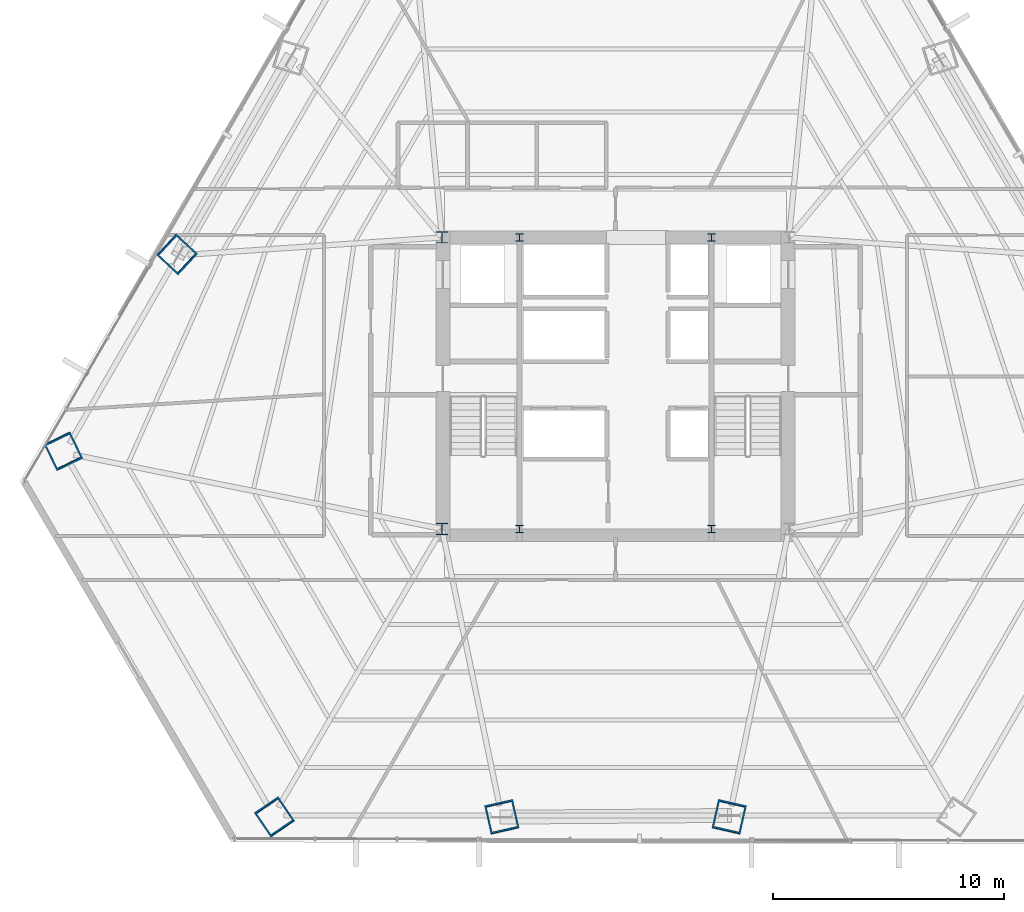
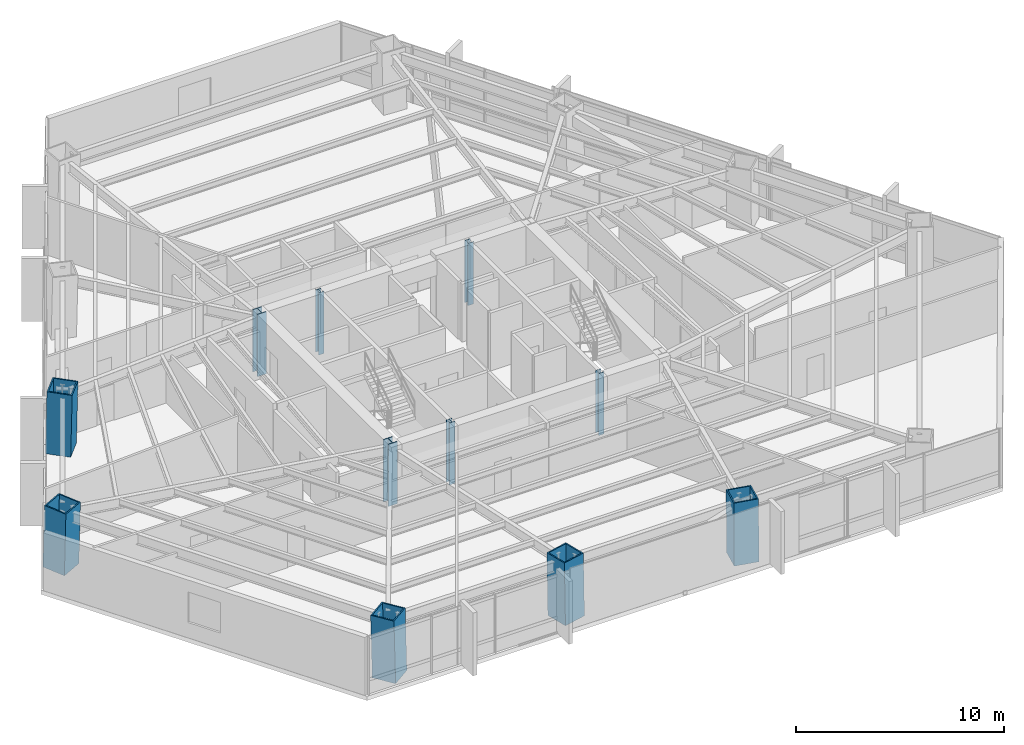
# One storey, part 1 of 33: 11 columns.
"""IFC4 building model written with IfcOpenShell, lengths in metres."""

from ifc_helpers import new_model, si_unit, direction, frame, origin, origin_2d, place, context, subcontext, project, spatial, hollow_rectangle, i_section, extrude, source, transform, mapped, material, material_profile, profile_set, type_object, type_shapes, element, save


model = new_model("IFC4")

# Units and contexts
model_context = context("Model", 3, precision=1e-05, world=origin(), true_north=direction((0.0, 1.0)))
body_context = subcontext(model_context, "Body", "Model", "MODEL_VIEW")
ifc_project = project(units=[si_unit("LENGTHUNIT", "METRE"), si_unit("AREAUNIT", "SQUARE_METRE"), si_unit("VOLUMEUNIT", "CUBIC_METRE"), si_unit("PLANEANGLEUNIT", "RADIAN"), si_unit("MASSUNIT", "GRAM", prefix="KILO")], contexts=[model_context])

# Site, building, storey
site_placement = place(None, origin())
site = spatial("IfcSite", under=ifc_project, at=site_placement, CompositionType="ELEMENT")
building_placement = place(site_placement, origin())
building = spatial("IfcBuilding", under=site, at=building_placement, Name="Caelisora Broadcast Tower", CompositionType="ELEMENT")
storey_placement = place(building_placement, frame((0.0, 0.0, 34.89990234375)))
storey = spatial("IfcBuildingStorey", under=building, at=storey_placement, Name="L08", CompositionType="ELEMENT", Elevation=34.89990234375)

# Columns
ifc_material_1 = material(Name="Steel Grade 350 L15 (AS/NZS 3678)", Category="steel")
ifc_material_profile_1 = material_profile(ifc_material_1, hollow_rectangle(XDim=1.25, YDim=1.25, WallThickness=0.070068359375, at=origin_2d()), Name="Steel Grade 350 L15 (AS/NZS 3678)")
ifc_profile_set_1 = profile_set([ifc_material_profile_1], Name="Steel Grade 350 L15 (AS/NZS 3678)")
column_type_1 = type_object("IfcColumnType", Name="MC02", PredefinedType="COLUMN", material=ifc_profile_set_1)
shared_shape_1 = source(origin(), body_context, "Body", "SweptSolid", [
    extrude(hollow_rectangle(XDim=1.25, YDim=1.25, WallThickness=0.070068359375, at=origin_2d()), origin(), (0.0, 0.0, 1.0), 3.65087890625),
])
for number, where, z_axis, x_axis, name in (
    (1, (19.04248046875, 29.275390625, 0.0), (0.014845459728, -0.013775516685, 0.9997949027), (0.68019775991, 0.733028653883, 0.0), "L08 column MC02"),
    (2, (33.08984375, 4.944580078125, 0.0), (-0.004480382638, 0.019793929266, 0.999794042058), (-0.975326687046, -0.220766513622, 0.0), "L08 column MC02"),
    (3, (42.91015625, 4.944580078125, 0.0), (0.004480382638, 0.019793929266, 0.999794042058), (-0.975326687046, 0.220766513622, 0.0), "L08 column MC02"),
):
    element("IfcColumn", number, at=place(storey_placement, frame(where, z_axis=z_axis, x_axis=x_axis)), inside=storey, type_object=column_type_1, Name=name, PredefinedType="COLUMN", context=body_context, shape_type="MappedRepresentation", body=[
        mapped(shared_shape_1, transform((0.0, 0.0, 0.0), scale=1.0)),
    ])
ifc_material_2 = material(Name="Steel Grade 350 (AS/NZS 3679.2)", Category="steel")
ifc_material_profile_2 = material_profile(ifc_material_2, i_section(OverallWidth=0.5, OverallDepth=0.5, WebThickness=0.028076171875, FlangeThickness=0.0400390625, at=origin_2d()), Name="Steel Grade 350 (AS/NZS 3679.2)")
ifc_profile_set_2 = profile_set([ifc_material_profile_2], Name="Steel Grade 350 (AS/NZS 3679.2)")
column_type_2 = type_object("IfcColumnType", Name="CC01", PredefinedType="COLUMN", material=ifc_profile_set_2)
shared_shape_2 = source(origin(), body_context, "Body", "SweptSolid", [
    extrude(i_section(OverallWidth=0.5, OverallDepth=0.5, WebThickness=0.028076171875, FlangeThickness=0.0400390625, at=origin_2d()), origin(), (0.0, 0.0, 1.0), 3.650146484375),
])
type_shapes(column_type_2, [shared_shape_2])
for number, where, z_axis, x_axis, name in (
    (4, (30.5, 17.39990234375, 0.0), (0.0, 0.0, 1.0), (1.0, 0.0, 0.0), "L08 column CC01"),
    (5, (30.5, 30.0, 0.0), (0.0, 0.0, 1.0), (1.0, 0.0, 0.0), "L08 column CC01"),
):
    element("IfcColumn", number, at=place(storey_placement, frame(where, z_axis=z_axis, x_axis=x_axis)), inside=storey, type_object=column_type_2, Name=name, PredefinedType="COLUMN", context=body_context, shape_type="MappedRepresentation", body=[
        mapped(shared_shape_2, transform((0.0, 0.0, 0.0), scale=1.0)),
    ])
ifc_material_3 = material(Name="Steel Grade 350 (AS/NZS 3679.1)", Category="steel")
ifc_material_profile_3 = material_profile(ifc_material_3, i_section(OverallWidth=0.306884765625, OverallDepth=0.314697265625, WebThickness=0.011962890625, FlangeThickness=0.018798828125, at=origin_2d()), Name="Steel Grade 350 (AS/NZS 3679.1)")
ifc_profile_set_3 = profile_set([ifc_material_profile_3], Name="Steel Grade 350 (AS/NZS 3679.1)")
column_type_3 = type_object("IfcColumnType", Name="CC04", PredefinedType="COLUMN", material=ifc_profile_set_3)
shared_shape_3 = source(origin(), body_context, "Body", "SweptSolid", [
    extrude(i_section(OverallWidth=0.306884765625, OverallDepth=0.314697265625, WebThickness=0.011962890625, FlangeThickness=0.018798828125, at=origin_2d()), origin(), (0.0, 0.0, 1.0), 3.650146484375),
])
type_shapes(column_type_3, [shared_shape_3])
for number, where, z_axis, x_axis, name in (
    (6, (33.85009765625, 17.39990234375, 0.0), (0.0, 0.0, 1.0), (1.0, 0.0, 0.0), "L08 column CC04"),
    (7, (42.14990234375, 17.39990234375, 0.0), (0.0, 0.0, 1.0), (1.0, 0.0, 0.0), "L08 column CC04"),
    (8, (33.85009765625, 30.0, 0.0), (0.0, 0.0, 1.0), (1.0, 0.0, 0.0), "L08 column CC04"),
    (9, (42.14990234375, 30.0, 0.0), (0.0, 0.0, 1.0), (1.0, 0.0, 0.0), "L08 column CC04"),
):
    element("IfcColumn", number, at=place(storey_placement, frame(where, z_axis=z_axis, x_axis=x_axis)), inside=storey, type_object=column_type_3, Name=name, PredefinedType="COLUMN", context=body_context, shape_type="MappedRepresentation", body=[
        mapped(shared_shape_3, transform((0.0, 0.0, 0.0), scale=1.0)),
    ])
shared_shape_4 = source(origin(), body_context, "Body", "SweptSolid", [
    extrude(hollow_rectangle(XDim=1.25, YDim=1.25, WallThickness=0.070068359375, at=origin_2d()), origin(), (0.0, 0.0, 1.0), 3.651123046875),
])
type_shapes(column_type_1, [shared_shape_1, shared_shape_4])
for number, where, z_axis, x_axis, name in (
    (10, (14.132080078125, 20.7705078125, 0.0), (0.010431098089, -0.021530856313, 0.999713766245), (0.899947055326, 0.435999194506, 0.0), "L08 column MC02"),
    (11, (23.269287109375, 4.944580078125, 0.0), (-0.013440068782, 0.019792340097, 0.999713772949), (-0.827290216258, -0.561774775229, 0.0), "L08 column MC02"),
):
    element("IfcColumn", number, at=place(storey_placement, frame(where, z_axis=z_axis, x_axis=x_axis)), inside=storey, type_object=column_type_1, Name=name, PredefinedType="COLUMN", context=body_context, shape_type="MappedRepresentation", body=[
        mapped(shared_shape_4, transform((0.0, 0.0, 0.0), scale=1.0)),
    ])

save(model, "model.ifc")
